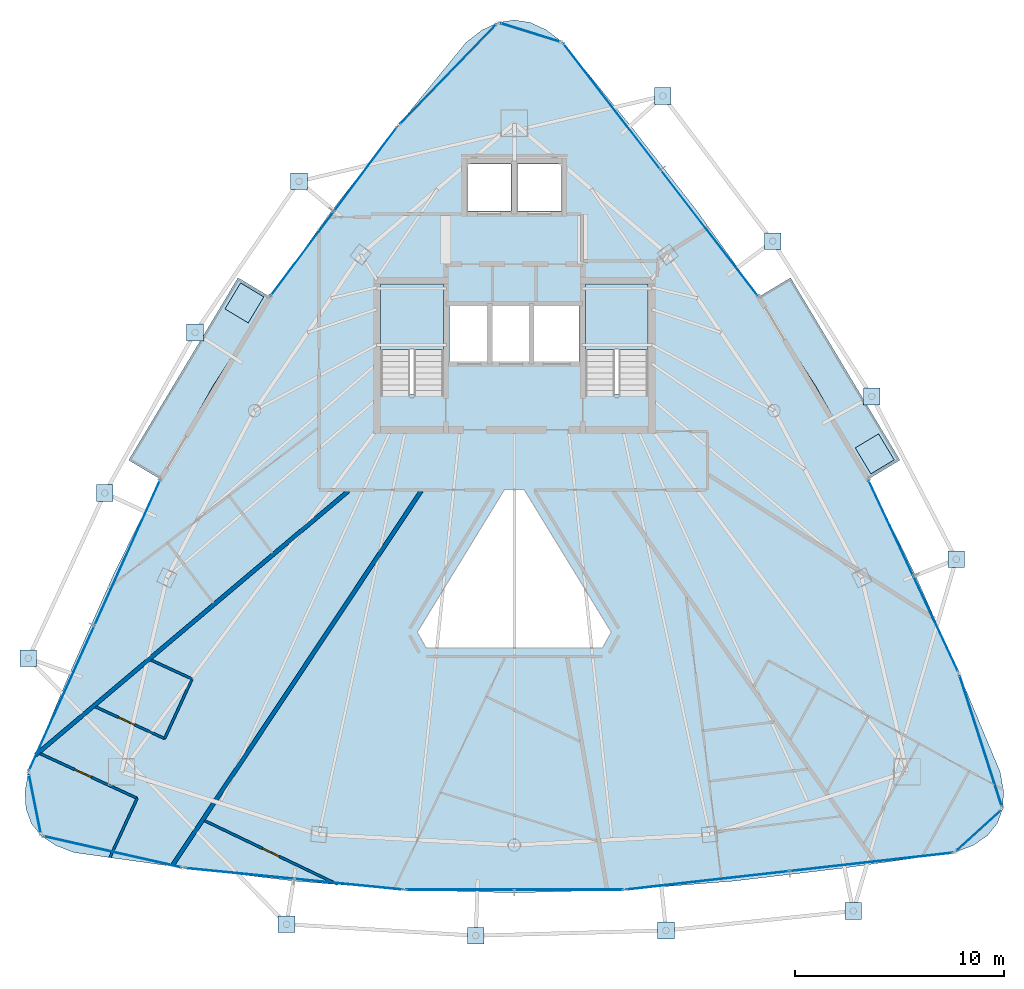
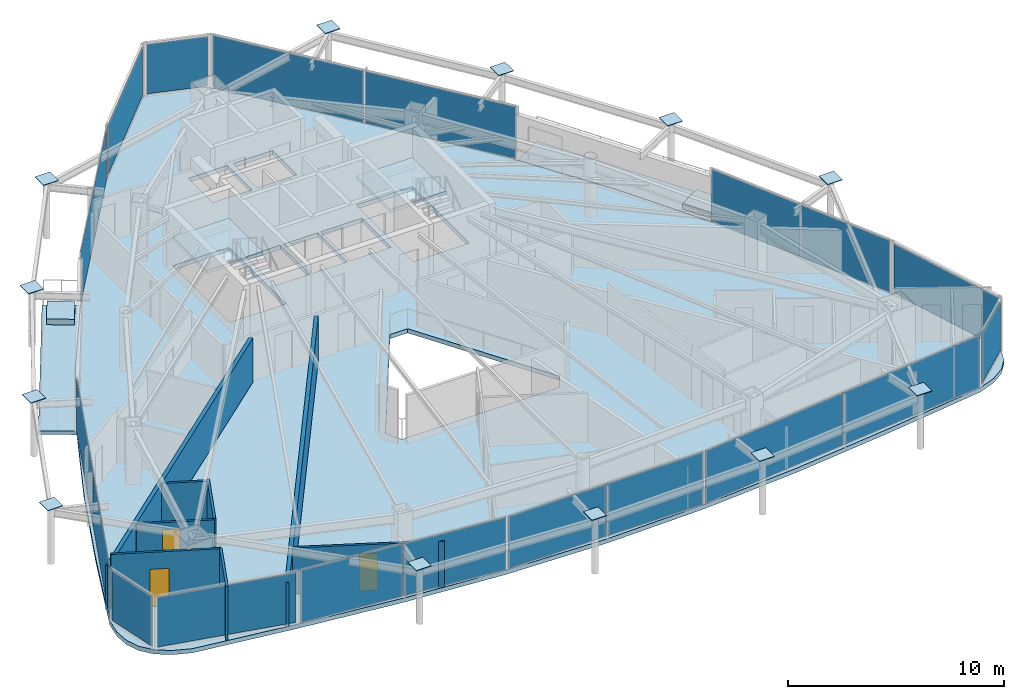
# One storey, part 27 of 33: 32 plates, 8 walls, 7 slabs, 3 doors, 3 openings, 15 elements without a shape of their own.
"""IFC4 building model written with IfcOpenShell, lengths in metres."""

from ifc_helpers import new_model, si_unit, direction, frame, frame_2d, origin, origin_2d, place, context, subcontext, project, spatial, polyline, rectangle, outline, extrude, material, layer, layer_set, type_object, element, fill, aggregate, save


model = new_model("IFC4")

# Units and contexts
model_context = context("Model", 3, precision=1e-05, world=origin(), true_north=direction((0.0, 1.0)))
body_context = subcontext(model_context, "Body", "Model", "MODEL_VIEW")
ifc_project = project(units=[si_unit("LENGTHUNIT", "METRE"), si_unit("AREAUNIT", "SQUARE_METRE"), si_unit("VOLUMEUNIT", "CUBIC_METRE"), si_unit("PLANEANGLEUNIT", "RADIAN"), si_unit("MASSUNIT", "GRAM", prefix="KILO")], contexts=[model_context])

# Site, building, storey
site_placement = place(None, origin())
site = spatial("IfcSite", under=ifc_project, at=site_placement, CompositionType="ELEMENT")
building_placement = place(site_placement, origin())
building = spatial("IfcBuilding", under=site, at=building_placement, Name="Orvanel Arch Residences", CompositionType="ELEMENT")
storey_placement = place(building_placement, frame((0.0, 0.0, 212.89990234375)))
storey = spatial("IfcBuildingStorey", under=building, at=storey_placement, Name="L60", CompositionType="ELEMENT", Elevation=212.89990234375)

# Plates
ifc_material_1 = material(Name="Structural steel AS/NZS 3678 Grade 350", Category="steel")
ifc_layer_1 = layer(ifc_material_1, 0.031982421875)
ifc_layer_set_1 = layer_set([ifc_layer_1], Name="Structural steel AS/NZS 3678 Grade 350")
plate_type_1 = type_object("IfcPlateType", Name="PL-CAP-32", PredefinedType="SHEET", material=ifc_layer_set_1)
for number, where, z_axis, x_axis, name in (
    (1, (22.694091796875, 38.616943359375, 3.2841796875), (0.0, 0.0, 1.0), (1.0, 0.0, 0.0), "L60 hollow member end cap plate"),
    (2, (17.719970703125, 31.381103515625, 3.2841796875), (0.0, 0.0, 1.0), (1.0, 0.0, 0.0), "L60 hollow member end cap plate"),
    (3, (13.39990234375, 23.697021484375, 3.2841796875), (0.0, 0.0, 1.0), (1.0, 0.0, 0.0), "L60 hollow member end cap plate"),
    (4, (9.739990234375, 15.784912109375, 3.2841796875), (0.0, 0.0, 1.0), (1.0, 0.0, 0.0), "L60 hollow member end cap plate"),
    (5, (22.10009765625, 3.053955078125, 3.2841796875), (0.0, 0.0, 1.0), (1.0, 0.0, 0.0), "L60 hollow member end cap plate"),
    (6, (31.157958984375, 2.510986328125, 3.2841796875), (0.0, 0.0, 1.0), (1.0, 0.0, 0.0), "L60 hollow member end cap plate"),
    (7, (40.260986328125, 2.759033203125, 3.2841796875), (0.0, 0.0, 1.0), (1.0, 0.0, 0.0), "L60 hollow member end cap plate"),
    (8, (49.22509765625, 3.68896484375, 3.2841796875), (0.0, 0.0, 1.0), (1.0, 0.0, 0.0), "L60 hollow member end cap plate"),
    (9, (54.156982421875, 20.527099609375, 3.2841796875), (0.0, 0.0, 1.0), (1.0, 0.0, 0.0), "L60 hollow member end cap plate"),
    (10, (50.114990234375, 28.322021484375, 3.2841796875), (0.0, 0.0, 1.0), (1.0, 0.0, 0.0), "L60 hollow member end cap plate"),
    (11, (45.368896484375, 35.7509765625, 3.2841796875), (0.0, 0.0, 1.0), (1.0, 0.0, 0.0), "L60 hollow member end cap plate"),
    (12, (40.112060546875, 42.7041015625, 3.2841796875), (0.0, 0.0, 1.0), (1.0, 0.0, 0.0), "L60 hollow member end cap plate"),
):
    element("IfcPlate", number, at=place(storey_placement, frame(where, z_axis=z_axis, x_axis=x_axis)), inside=storey, type_object=plate_type_1, Name=name, PredefinedType="SHEET", context=body_context, shape_type="SweptSolid", body=[
        extrude(rectangle(XDim=0.800048828125, YDim=0.800048828125, at=origin_2d()), origin(), (0.0, 0.0, 1.0), 0.031982421875),
    ])

# Curtain wall, plates
ifc_material_2 = material(Name="Bronze-anodised aluminium AA6063-T6", Category="aluminium")
ifc_layer_2 = layer(ifc_material_2, 0.175048828125)
ifc_layer_set_2 = layer_set([ifc_layer_2], Name="Bronze-anodised aluminium AA6063-T6")
curtain_wall_type_1 = type_object("IfcCurtainWallType", Name="CW4-HI-SYS", PredefinedType="NOTDEFINED", material=ifc_layer_set_2)
curtain_wall_1_placement = place(storey_placement, origin())
curtain_wall_1 = element("IfcCurtainWall", 13, at=curtain_wall_1_placement, inside=storey, type_object=curtain_wall_type_1, Name="L60 CW4-HI-SYS Unitised Curtain Wall", PredefinedType="NOTDEFINED")
ifc_material_3 = material(Name="Double-glazed solar-control low-E safety glass", Category="glass")
ifc_layer_3 = layer(ifc_material_3, 0.028076171875)
ifc_layer_set_3 = layer_set([ifc_layer_3], Name="Double-glazed solar-control low-E safety glass")
plate_type_2 = type_object("IfcPlateType", Name="PNL-GLZ-28", PredefinedType="CURTAIN_PANEL", material=ifc_layer_set_3)
plate_1_placement = place(storey_placement, frame((25.884033203125, 39.20654296875, 0.06005859375), z_axis=(0.0, 0.0, 1.0), x_axis=(-0.599151723424, -0.800635505282, 0.0)))
plate_1 = element("IfcPlate", 14, at=plate_1_placement, type_object=plate_type_2, Name="CW-S4 panel 1.1", PredefinedType="CURTAIN_PANEL", context=body_context, shape_type="SweptSolid", body=[
    extrude(rectangle(XDim=4.997314453125, YDim=0.028076171875, at=origin_2d()), origin(), (0.0, 0.0, 1.0), 2.93994140625),
])
plate_2_placement = place(storey_placement, frame((22.85107421875, 35.153564453125, 0.06005859375), z_axis=(0.0, 0.0, 1.0), x_axis=(-0.599151723424, -0.800635505282, 0.0)))
plate_2 = element("IfcPlate", 15, at=plate_2_placement, type_object=plate_type_2, Name="CW-S4 panel 2.1", PredefinedType="CURTAIN_PANEL", context=body_context, shape_type="SweptSolid", body=[
    extrude(rectangle(XDim=4.997314453125, YDim=0.028076171875, at=origin_2d()), origin(), (0.0, 0.0, 1.0), 2.93994140625),
])
aggregate(curtain_wall_1, [plate_1, plate_2])

curtain_wall_2_placement = place(storey_placement, origin())
curtain_wall_2 = element("IfcCurtainWall", 16, at=curtain_wall_2_placement, inside=storey, type_object=curtain_wall_type_1, Name="L60 CW4-HI-SYS Unitised Curtain Wall", PredefinedType="NOTDEFINED")
plate_3_placement = place(storey_placement, frame((14.476318359375, 20.833740234375, 0.06005859375), z_axis=(0.0, 0.0, 1.0), x_axis=(-0.411530785971, -0.911395859217, 0.0)))
plate_3 = element("IfcPlate", 17, at=plate_3_placement, type_object=plate_type_2, Name="CW-S4 panel 1.1", PredefinedType="CURTAIN_PANEL", context=body_context, shape_type="SweptSolid", body=[
    extrude(rectangle(XDim=7.566650390625, YDim=0.028076171875, at=origin_2d()), origin(), (0.0, 0.0, 1.0), 2.93994140625),
])
plate_4_placement = place(storey_placement, frame((11.335693359375, 13.87841796875, 0.06005859375), z_axis=(0.0, 0.0, 1.0), x_axis=(-0.411530785971, -0.911395859217, 0.0)))
plate_4 = element("IfcPlate", 18, at=plate_4_placement, type_object=plate_type_2, Name="CW-S4 panel 2.1", PredefinedType="CURTAIN_PANEL", context=body_context, shape_type="SweptSolid", body=[
    extrude(rectangle(XDim=7.566650390625, YDim=0.028076171875, at=origin_2d()), origin(), (0.0, 0.0, 1.0), 2.93994140625),
])
aggregate(curtain_wall_2, [plate_3, plate_4])

curtain_wall_3_placement = place(storey_placement, origin())
curtain_wall_3 = element("IfcCurtainWall", 19, at=curtain_wall_3_placement, inside=storey, type_object=curtain_wall_type_1, Name="L60 CW4-HI-SYS Unitised Curtain Wall", PredefinedType="NOTDEFINED")
plate_5_placement = place(storey_placement, frame((19.858642578125, 5.4873046875, 0.06005859375), z_axis=(0.0, 0.0, 1.0), x_axis=(0.995125054579, -0.098621122229, 0.0)))
plate_5 = element("IfcPlate", 20, at=plate_5_placement, type_object=plate_type_2, Name="CW-S4 panel 1.1", PredefinedType="CURTAIN_PANEL", context=body_context, shape_type="SweptSolid", body=[
    extrude(rectangle(XDim=5.17529296875, YDim=0.028076171875, at=origin_2d()), origin(), (0.0, 0.0, 1.0), 2.93994140625),
])
plate_6_placement = place(storey_placement, frame((25.0732421875, 4.970703125, 0.06005859375), z_axis=(0.0, 0.0, 1.0), x_axis=(0.995125054579, -0.098621122229, 0.0)))
plate_6 = element("IfcPlate", 21, at=plate_6_placement, type_object=plate_type_2, Name="CW-S4 panel 2.1", PredefinedType="CURTAIN_PANEL", context=body_context, shape_type="SweptSolid", body=[
    extrude(rectangle(XDim=5.17529296875, YDim=0.028076171875, at=origin_2d()), origin(), (0.0, 0.0, 1.0), 2.93994140625),
])
aggregate(curtain_wall_3, [plate_5, plate_6])

curtain_wall_4_placement = place(storey_placement, origin())
curtain_wall_4 = element("IfcCurtainWall", 22, at=curtain_wall_4_placement, inside=storey, type_object=curtain_wall_type_1, Name="L60 CW4-HI-SYS Unitised Curtain Wall", PredefinedType="NOTDEFINED")
plate_7_placement = place(storey_placement, frame((30.392822265625, 4.70703125, 0.06005859375), z_axis=(0.0, 0.0, 1.0), x_axis=(1.0, 0.0, 0.0)))
plate_7 = element("IfcPlate", 23, at=plate_7_placement, type_object=plate_type_2, Name="CW-S4 panel 1.1", PredefinedType="CURTAIN_PANEL", context=body_context, shape_type="SweptSolid", body=[
    extrude(rectangle(XDim=5.1494140625, YDim=0.028076171875, at=origin_2d()), origin(), (0.0, 0.0, 1.0), 2.93994140625),
])
plate_8_placement = place(storey_placement, frame((35.607177734375, 4.70703125, 0.06005859375), z_axis=(0.0, 0.0, 1.0), x_axis=(1.0, 0.0, 0.0)))
plate_8 = element("IfcPlate", 24, at=plate_8_placement, type_object=plate_type_2, Name="CW-S4 panel 2.1", PredefinedType="CURTAIN_PANEL", context=body_context, shape_type="SweptSolid", body=[
    extrude(rectangle(XDim=5.1494140625, YDim=0.028076171875, at=origin_2d()), origin(), (0.0, 0.0, 1.0), 2.93994140625),
])
aggregate(curtain_wall_4, [plate_7, plate_8])

curtain_wall_5_placement = place(storey_placement, origin())
curtain_wall_5 = element("IfcCurtainWall", 25, at=curtain_wall_5_placement, inside=storey, type_object=curtain_wall_type_1, Name="L60 CW4-HI-SYS Unitised Curtain Wall", PredefinedType="NOTDEFINED")
plate_9_placement = place(storey_placement, frame((42.243408203125, 5.155029296875, 0.06005859375), z_axis=(0.0, 0.0, 1.0), x_axis=(0.993704057528, 0.11203680669, 0.0)))
plate_9 = element("IfcPlate", 26, at=plate_9_placement, type_object=plate_type_2, Name="CW-S4 panel 1.1", PredefinedType="CURTAIN_PANEL", context=body_context, shape_type="SweptSolid", body=[
    extrude(rectangle(XDim=7.8330078125, YDim=0.028076171875, at=origin_2d()), origin(), (0.0, 0.0, 1.0), 2.93994140625),
])
plate_10_placement = place(storey_placement, frame((50.091552734375, 6.0400390625, 0.06005859375), z_axis=(0.0, 0.0, 1.0), x_axis=(0.993704057528, 0.11203680669, 0.0)))
plate_10 = element("IfcPlate", 27, at=plate_10_placement, type_object=plate_type_2, Name="CW-S4 panel 2.1", PredefinedType="CURTAIN_PANEL", context=body_context, shape_type="SweptSolid", body=[
    extrude(rectangle(XDim=7.8330078125, YDim=0.028076171875, at=origin_2d()), origin(), (0.0, 0.0, 1.0), 2.93994140625),
])
aggregate(curtain_wall_5, [plate_9, plate_10])

curtain_wall_6_placement = place(storey_placement, origin())
curtain_wall_6 = element("IfcCurtainWall", 28, at=curtain_wall_6_placement, inside=storey, type_object=curtain_wall_type_1, Name="L60 CW4-HI-SYS Unitised Curtain Wall", PredefinedType="NOTDEFINED")
plate_11_placement = place(storey_placement, frame((53.176025390625, 17.435546875, 0.06005859375), z_axis=(0.0, 0.0, 1.0), x_axis=(-0.424340844978, 0.905502538529, 0.0)))
plate_11 = element("IfcPlate", 29, at=plate_11_placement, type_object=plate_type_2, Name="CW-S4 panel 1.1", PredefinedType="CURTAIN_PANEL", context=body_context, shape_type="SweptSolid", body=[
    extrude(rectangle(XDim=4.99755859375, YDim=0.028076171875, at=origin_2d()), origin(), (0.0, 0.0, 1.0), 2.93994140625),
])
plate_12_placement = place(storey_placement, frame((51.02783203125, 22.01953125, 0.06005859375), z_axis=(0.0, 0.0, 1.0), x_axis=(-0.424340844978, 0.905502538529, 0.0)))
plate_12 = element("IfcPlate", 30, at=plate_12_placement, type_object=plate_type_2, Name="CW-S4 panel 2.1", PredefinedType="CURTAIN_PANEL", context=body_context, shape_type="SweptSolid", body=[
    extrude(rectangle(XDim=4.99755859375, YDim=0.028076171875, at=origin_2d()), origin(), (0.0, 0.0, 1.0), 2.93994140625),
])
aggregate(curtain_wall_6, [plate_11, plate_12])

curtain_wall_7_placement = place(storey_placement, origin())
curtain_wall_7 = element("IfcCurtainWall", 31, at=curtain_wall_7_placement, inside=storey, type_object=curtain_wall_type_1, Name="L60 CW4-HI-SYS Unitised Curtain Wall", PredefinedType="NOTDEFINED")
plate_13_placement = place(storey_placement, frame((42.33642578125, 36.1494140625, 0.06005859375), z_axis=(0.0, 0.0, 1.0), x_axis=(-0.61032539084, 0.792150817266, 0.0)))
plate_13 = element("IfcPlate", 32, at=plate_13_placement, type_object=plate_type_2, Name="CW-S4 panel 1.1", PredefinedType="CURTAIN_PANEL", context=body_context, shape_type="SweptSolid", body=[
    extrude(rectangle(XDim=7.56640625, YDim=0.028076171875, at=origin_2d()), origin(), (0.0, 0.0, 1.0), 2.93994140625),
])
plate_14_placement = place(storey_placement, frame((37.6787109375, 42.194580078125, 0.06005859375), z_axis=(0.0, 0.0, 1.0), x_axis=(-0.61032539084, 0.792150817266, 0.0)))
plate_14 = element("IfcPlate", 33, at=plate_14_placement, type_object=plate_type_2, Name="CW-S4 panel 2.1", PredefinedType="CURTAIN_PANEL", context=body_context, shape_type="SweptSolid", body=[
    extrude(rectangle(XDim=7.56640625, YDim=0.028076171875, at=origin_2d()), origin(), (0.0, 0.0, 1.0), 2.93994140625),
])
aggregate(curtain_wall_7, [plate_13, plate_14])

# Curtain wall, plate
ifc_layer_4 = layer(ifc_material_2, 0.18994140625)
ifc_layer_set_4 = layer_set([ifc_layer_4], Name="Bronze-anodised aluminium AA6063-T6")
curtain_wall_type_2 = type_object("IfcCurtainWallType", Name="CW5-CRN-SYS", PredefinedType="NOTDEFINED", material=ifc_layer_set_4)
curtain_wall_8_placement = place(storey_placement, origin())
curtain_wall_8 = element("IfcCurtainWall", 34, at=curtain_wall_8_placement, inside=storey, type_object=curtain_wall_type_2, Name="L60 CW5-CRN-SYS Unitised Curtain Wall", PredefinedType="NOTDEFINED")
ifc_layer_5 = layer(ifc_material_3, 0.031982421875)
ifc_layer_set_5 = layer_set([ifc_layer_5], Name="Double-glazed solar-control low-E safety glass")
plate_type_3 = type_object("IfcPlateType", Name="PNL-GLZ-32", PredefinedType="CURTAIN_PANEL", material=ifc_layer_set_5)
plate_15_placement = place(storey_placement, frame((33.7724609375, 45.739990234375, 0.1298828125), z_axis=(0.0, 0.0, 1.0), x_axis=(-0.954841003461, 0.297117246401, 0.0)))
plate_15 = element("IfcPlate", 35, at=plate_15_placement, type_object=plate_type_3, Name="CW-S5 panel 1.1", PredefinedType="CURTAIN_PANEL", context=body_context, shape_type="SweptSolid", body=[
    extrude(rectangle(XDim=2.8974609375, YDim=0.031982421875, at=origin_2d()), origin(), (0.0, 0.0, 1.0), 2.800048828125),
])
aggregate(curtain_wall_8, [plate_15])

curtain_wall_9_placement = place(storey_placement, origin())
curtain_wall_9 = element("IfcCurtainWall", 36, at=curtain_wall_9_placement, inside=storey, type_object=curtain_wall_type_2, Name="L60 CW5-CRN-SYS Unitised Curtain Wall", PredefinedType="NOTDEFINED")
plate_16_placement = place(storey_placement, frame((29.82958984375, 43.748046875, 0.1298828125), z_axis=(0.0, 0.0, 1.0), x_axis=(-0.695997606834, -0.718044101209, 0.0)))
plate_16 = element("IfcPlate", 37, at=plate_16_placement, type_object=plate_type_3, Name="CW-S5 panel 1.1", PredefinedType="CURTAIN_PANEL", context=body_context, shape_type="SweptSolid", body=[
    extrude(rectangle(XDim=6.549072265625, YDim=0.031982421875, at=origin_2d()), origin(), (0.0, 0.0, 1.0), 2.800048828125),
])
aggregate(curtain_wall_9, [plate_16])

curtain_wall_10_placement = place(storey_placement, origin())
curtain_wall_10 = element("IfcCurtainWall", 38, at=curtain_wall_10_placement, inside=storey, type_object=curtain_wall_type_2, Name="L60 CW5-CRN-SYS Unitised Curtain Wall", PredefinedType="NOTDEFINED")
plate_17_placement = place(storey_placement, frame((10.048583984375, 8.824462890625, 0.1298828125), z_axis=(0.0, 0.0, 1.0), x_axis=(0.195365920622, -0.980730420176, 0.0)))
plate_17 = element("IfcPlate", 39, at=plate_17_placement, type_object=plate_type_3, Name="CW-S5 panel 1.1", PredefinedType="CURTAIN_PANEL", context=body_context, shape_type="SweptSolid", body=[
    extrude(rectangle(XDim=2.7763671875, YDim=0.031982421875, at=origin_2d()), origin(), (0.0, 0.0, 1.0), 2.800048828125),
])
aggregate(curtain_wall_10, [plate_17])

curtain_wall_11_placement = place(storey_placement, origin())
curtain_wall_11 = element("IfcCurtainWall", 40, at=curtain_wall_11_placement, inside=storey, type_object=curtain_wall_type_2, Name="L60 CW5-CRN-SYS Unitised Curtain Wall", PredefinedType="NOTDEFINED")
plate_18_placement = place(storey_placement, frame((13.77587890625, 6.5234375, 0.1298828125), z_axis=(0.0, 0.0, 1.0), x_axis=(0.975436035284, -0.220282866037, 0.0)))
plate_18 = element("IfcPlate", 41, at=plate_18_placement, type_object=plate_type_3, Name="CW-S5 panel 1.1", PredefinedType="CURTAIN_PANEL", context=body_context, shape_type="SweptSolid", body=[
    extrude(rectangle(XDim=6.677490234375, YDim=0.031982421875, at=origin_2d()), origin(), (0.0, 0.0, 1.0), 2.800048828125),
])
aggregate(curtain_wall_11, [plate_18])

curtain_wall_12_placement = place(storey_placement, origin())
curtain_wall_12 = element("IfcCurtainWall", 42, at=curtain_wall_12_placement, inside=storey, type_object=curtain_wall_type_2, Name="L60 CW5-CRN-SYS Unitised Curtain Wall", PredefinedType="NOTDEFINED")
plate_19_placement = place(storey_placement, frame((55.221923828125, 7.535888671875, 0.1298828125), z_axis=(0.0, 0.0, 1.0), x_axis=(0.740087062323, 0.672511070676, 0.0)))
plate_19 = element("IfcPlate", 43, at=plate_19_placement, type_object=plate_type_3, Name="CW-S5 panel 1.1", PredefinedType="CURTAIN_PANEL", context=body_context, shape_type="SweptSolid", body=[
    extrude(rectangle(XDim=2.778076171875, YDim=0.031982421875, at=origin_2d()), origin(), (0.0, 0.0, 1.0), 2.800048828125),
])
aggregate(curtain_wall_12, [plate_19])

curtain_wall_13_placement = place(storey_placement, origin())
curtain_wall_13 = element("IfcCurtainWall", 44, at=curtain_wall_13_placement, inside=storey, type_object=curtain_wall_type_2, Name="L60 CW5-CRN-SYS Unitised Curtain Wall", PredefinedType="NOTDEFINED")
plate_20_placement = place(storey_placement, frame((55.323974609375, 11.840087890625, 0.1298828125), z_axis=(0.0, 0.0, 1.0), x_axis=(-0.307483718239, 0.951553342182, 0.0)))
plate_20 = element("IfcPlate", 45, at=plate_20_placement, type_object=plate_type_3, Name="CW-S5 panel 1.1", PredefinedType="CURTAIN_PANEL", context=body_context, shape_type="SweptSolid", body=[
    extrude(rectangle(XDim=6.503662109375, YDim=0.031982421875, at=origin_2d()), origin(), (0.0, 0.0, 1.0), 2.800048828125),
])
aggregate(curtain_wall_13, [plate_20])

# Slabs
ifc_material_4 = material(Name="Concrete N40 (40 MPa)", Category="concrete")
ifc_layer_6 = layer(ifc_material_4, 0.199951171875)
ifc_layer_set_6 = layer_set([ifc_layer_6], Name="Concrete N40 (40 MPa)")
slab_type_1 = type_object("IfcSlabType", Name="SLB-BAL-200", PredefinedType="FLOOR", material=ifc_layer_set_6)
slab_1_placement = place(storey_placement, frame((0.0, 0.0, -0.199951171875)))
element("IfcSlab", 46, at=slab_1_placement, inside=storey, type_object=slab_type_1, Name="L60 Cantilevered Balcony Slab Face 3", PredefinedType="FLOOR", context=body_context, shape_type="SweptSolid", body=[
    extrude(outline(polyline([(51.4580078125, 25.27392578125), (46.22412109375, 34.0009765625), (44.697021484375, 33.0849609375), (47.43994140625, 28.797119140625), (49.931884765625, 24.35888671875), (51.4580078125, 25.27392578125)])), origin(), (0.0, 0.0, 1.0), 0.199951171875),
])
slab_2_placement = place(storey_placement, frame((0.0, 0.0, -0.199951171875)))
element("IfcSlab", 47, at=slab_2_placement, inside=storey, type_object=slab_type_1, Name="L60 Cantilevered Balcony Slab Face 1", PredefinedType="FLOOR", context=body_context, shape_type="SweptSolid", body=[
    extrude(outline(polyline([(19.77587890625, 34.0009765625), (14.5419921875, 25.27392578125), (16.068115234375, 24.35888671875), (18.56005859375, 28.797119140625), (21.302978515625, 33.0849609375), (19.77587890625, 34.0009765625)])), origin(), (0.0, 0.0, 1.0), 0.199951171875),
])

# Stair, slab
ifc_material_5 = material(Name="Precast concrete N50 (50 MPa)", Category="concrete")
stair_type = type_object("IfcStairType", Name="STR-DOG-184", PredefinedType="USERDEFINED", material=ifc_material_5)
stair_1_placement = place(storey_placement, origin())
stair_1 = element("IfcStair", 48, at=stair_1_placement, inside=storey, type_object=stair_type, Name="L60 Fire-Isolated Core Exit Stair 1", ObjectType="TWO_RETURN_STAIR", PredefinedType="USERDEFINED")
ifc_layer_7 = layer(ifc_material_4, 0.199951171875)
ifc_layer_set_7 = layer_set([ifc_layer_7], Name="Concrete N40 (40 MPa)")
slab_type_2 = type_object("IfcSlabType", Name="SLB-LND-200", PredefinedType="LANDING", material=ifc_layer_set_7)
slab_3_placement = place(storey_placement, frame((0.0, 0.0, 1.4501953125)))
slab_3 = element("IfcSlab", 49, at=slab_3_placement, type_object=slab_type_2, Name="ST-1 landing 1", PredefinedType="LANDING", context=body_context, shape_type="SweptSolid", body=[
    extrude(outline(polyline([(29.60009765625, 30.56005859375), (29.60009765625, 33.699951171875), (26.60009765625, 33.699951171875), (26.60009765625, 30.56005859375), (29.60009765625, 30.56005859375)])), origin(), (0.0, 0.0, 1.0), 0.199951171875),
])
aggregate(stair_1, [slab_3])

stair_2_placement = place(storey_placement, origin())
stair_2 = element("IfcStair", 50, at=stair_2_placement, inside=storey, type_object=stair_type, Name="L60 Fire-Isolated Core Exit Stair 2", ObjectType="TWO_RETURN_STAIR", PredefinedType="USERDEFINED")
slab_4_placement = place(storey_placement, frame((0.0, 0.0, 1.4501953125)))
slab_4 = element("IfcSlab", 51, at=slab_4_placement, type_object=slab_type_2, Name="ST-2 landing 1", PredefinedType="LANDING", context=body_context, shape_type="SweptSolid", body=[
    extrude(outline(polyline([(39.39990234375, 30.56005859375), (39.39990234375, 33.699951171875), (36.39990234375, 33.699951171875), (36.39990234375, 30.56005859375), (39.39990234375, 30.56005859375)])), origin(), (0.0, 0.0, 1.0), 0.199951171875),
])
aggregate(stair_2, [slab_4])

# Slabs
ifc_material_6 = material(Name="Structural architectural precast concrete N40 (40 MPa) planter", Category="concrete")
ifc_layer_8 = layer(ifc_material_6, 0.320068359375)
ifc_layer_set_8 = layer_set([ifc_layer_8], Name="Structural architectural precast concrete N40 (40 MPa) planter")
slab_type_3 = type_object("IfcSlabType", Name="SLB-PLN-320", PredefinedType="USERDEFINED", material=ifc_layer_set_8)
slab_5_placement = place(storey_placement, origin())
element("IfcSlab", 52, at=slab_5_placement, inside=storey, type_object=slab_type_3, Name="L60 Balcony TREE PLANTER Face 3", ObjectType="PLANTER", PredefinedType="USERDEFINED", context=body_context, shape_type="SweptSolid", body=[
    extrude(outline(polyline([(51.18408203125, 25.284912109375), (50.43798828125, 26.528076171875), (49.322998046875, 25.85888671875), (50.069091796875, 24.615966796875), (51.18408203125, 25.284912109375)])), origin(), (0.0, 0.0, 1.0), 0.320068359375),
])
slab_6_placement = place(storey_placement, origin())
element("IfcSlab", 53, at=slab_6_placement, inside=storey, type_object=slab_type_3, Name="L60 Balcony TREE PLANTER Face 1", ObjectType="PLANTER", PredefinedType="USERDEFINED", context=body_context, shape_type="SweptSolid", body=[
    extrude(outline(polyline([(19.89599609375, 33.75390625), (19.15087890625, 32.510009765625), (20.264892578125, 31.842041015625), (21.010986328125, 33.0849609375), (19.89599609375, 33.75390625)])), origin(), (0.0, 0.0, 1.0), 0.320068359375),
])
ifc_layer_9 = layer(ifc_material_4, 0.239990234375)
ifc_layer_set_9 = layer_set([ifc_layer_9], Name="Concrete N40 (40 MPa)")
slab_type_4 = type_object("IfcSlabType", Name="SLB-TYP-240", PredefinedType="FLOOR", material=ifc_layer_set_9)
slab_7_placement = place(storey_placement, frame((0.0, 0.0, -0.239990234375)))
element("IfcSlab", 54, at=slab_7_placement, inside=storey, type_object=slab_type_4, Name="L60 Tower Floor Slab", PredefinedType="FLOOR", context=body_context, shape_type="SweptSolid", body=[
    extrude(outline(polyline([(35.318115234375, 45.259033203125), (34.544921875, 45.860107421875), (33.77294921875, 46.220947265625), (33.0, 46.341064453125), (32.22705078125, 46.220947265625), (31.455078125, 45.860107421875), (30.681884765625, 45.259033203125), (27.431884765625, 41.27490234375), (24.278076171875, 37.23291015625), (21.302978515625, 33.0849609375), (18.56005859375, 28.797119140625), (16.068115234375, 24.35888671875), (13.80908203125, 19.780029296875), (11.72802734375, 15.095947265625), (9.743896484375, 10.35302734375), (9.577880859375, 9.407958984375), (9.6240234375, 8.583984375), (9.882080078125, 7.8798828125), (10.35302734375, 7.2958984375), (11.037109375, 6.83203125), (11.931884765625, 6.488037109375), (17.198974609375, 5.7509765625), (22.466064453125, 5.125), (27.73291015625, 4.70703125), (33.0, 4.56103515625), (38.26708984375, 4.70703125), (43.533935546875, 5.125), (48.801025390625, 5.7509765625), (54.068115234375, 6.488037109375), (54.964111328125, 6.83203125), (55.64697265625, 7.2958984375), (56.117919921875, 7.8798828125), (56.3759765625, 8.583984375), (56.422119140625, 9.407958984375), (56.256103515625, 10.35302734375), (54.27197265625, 15.095947265625), (52.19091796875, 19.780029296875), (49.931884765625, 24.35888671875), (47.43994140625, 28.797119140625), (44.697021484375, 33.0849609375), (41.721923828125, 37.23291015625), (38.568115234375, 41.27490234375), (35.318115234375, 45.259033203125)]), holes=[polyline([(26.60009765625, 28.429931640625), (26.60009765625, 33.699951171875), (29.60009765625, 33.699951171875), (29.60009765625, 28.429931640625), (26.60009765625, 28.429931640625)]), polyline([(36.39990234375, 28.429931640625), (36.39990234375, 33.699951171875), (39.39990234375, 33.699951171875), (39.39990234375, 28.429931640625), (36.39990234375, 28.429931640625)]), polyline([(29.89990234375, 32.64990234375), (31.75, 32.64990234375), (31.75, 29.949951171875), (29.89990234375, 29.949951171875), (29.89990234375, 32.64990234375)]), polyline([(31.89990234375, 32.64990234375), (33.75, 32.64990234375), (33.75, 29.949951171875), (31.89990234375, 29.949951171875), (31.89990234375, 32.64990234375)]), polyline([(33.89990234375, 32.64990234375), (36.10009765625, 32.64990234375), (36.10009765625, 29.949951171875), (33.89990234375, 29.949951171875), (33.89990234375, 32.64990234375)]), polyline([(30.75, 39.449951171875), (32.85009765625, 39.449951171875), (32.85009765625, 37.199951171875), (30.75, 37.199951171875), (30.75, 39.449951171875)]), polyline([(33.14990234375, 39.449951171875), (35.25, 39.449951171875), (35.25, 37.199951171875), (33.14990234375, 37.199951171875), (33.14990234375, 39.449951171875)]), polyline([(37.64404296875, 17.0400390625), (37.212890625, 16.27001953125), (28.787109375, 16.27001953125), (28.35595703125, 17.0400390625), (32.529052734375, 23.867919921875), (33.470947265625, 23.867919921875), (37.64404296875, 17.0400390625)])]), origin(), (0.0, 0.0, 1.0), 0.239990234375),
])

# Walls
ifc_material_7 = material(Name="Fire-rated plasterboard lined steel stud partition", Category="steel")
ifc_layer_10 = layer(ifc_material_7, 0.199951171875)
ifc_layer_set_10 = layer_set([ifc_layer_10], Name="Fire-rated plasterboard lined steel stud partition")
wall_type_1 = type_object("IfcWallType", Name="W-DEM-200", PredefinedType="PARTITIONING", material=ifc_layer_set_10)
wall_1_placement = place(storey_placement, frame((16.617919921875, 5.845947265625, 0.0), z_axis=(0.0, 0.0, 1.0), x_axis=(0.553425992232, 0.832898355817, 0.0)))
element("IfcWall", 55, at=wall_1_placement, inside=storey, type_object=wall_type_1, Name="L60 Inter-Tenancy Acoustic Demising Wall", PredefinedType="PARTITIONING", context=body_context, shape_type="SweptSolid", body=[
    extrude(rectangle(XDim=21.544189453125, YDim=0.199951171875, at=frame_2d((10.77197265625, 0.0))), origin(), (0.0, 0.0, 1.0), 2.4921875),
])
wall_2_placement = place(storey_placement, frame((10.0869140625, 11.156005859375, 0.0), z_axis=(0.0, 0.0, 1.0), x_axis=(0.76410924632, 0.645086862127, 0.0)))
element("IfcWall", 56, at=wall_2_placement, inside=storey, type_object=wall_type_1, Name="L60 Inter-Tenancy Acoustic Demising Wall", PredefinedType="PARTITIONING", context=body_context, shape_type="SweptSolid", body=[
    extrude(rectangle(XDim=19.5849609375, YDim=0.199951171875, at=frame_2d((9.79248046875, 0.0))), origin(), (0.0, 0.0, 1.0), 2.4921875),
])

# Wall, opening, door
ifc_material_8 = material(Name="Acoustic plasterboard lined twin-stud partition", Category="gypsum")
ifc_layer_11 = layer(ifc_material_8, 0.1201171875)
ifc_layer_set_11 = layer_set([ifc_layer_11], Name="Acoustic plasterboard lined twin-stud partition")
wall_type_2 = type_object("IfcWallType", Name="W-WET-120", PredefinedType="PARTITIONING", material=ifc_layer_set_11)
wall_3_placement = place(storey_placement, frame((24.535888671875, 4.966064453125, 0.0), z_axis=(0.0, 0.0, 1.0), x_axis=(-0.901746721557, 0.432264791721, 0.0)))
wall_3 = element("IfcWall", 57, at=wall_3_placement, inside=storey, type_object=wall_type_2, Name="L60 Flat A Internal Partition", PredefinedType="PARTITIONING", context=body_context, shape_type="SweptSolid", body=[
    extrude(rectangle(XDim=7.06494140625, YDim=0.1201171875, at=frame_2d((3.532470703125, 0.0))), origin(), (0.0, 0.0, 1.0), 2.619140625),
])
opening_1_placement = place(wall_3_placement, frame((3.093017578125, 0.0, 0.0)))
opening_1 = element("IfcOpeningElement", 58, at=opening_1_placement, cuts=wall_3, Name="Opening DI-088", PredefinedType="OPENING", context=body_context, shape_type="SweptSolid", body=[
    extrude(rectangle(XDim=0.8798828125, YDim=2.10009765625, at=frame_2d((0.43994140625, 1.050048828125))), frame((0.0, 0.070068359375, 0.0), z_axis=(0.0, -1.0, 0.0), x_axis=(1.0, 0.0, 0.0)), (0.0, 0.0, 1.0), 0.14013671875),
])
ifc_material_9 = material(Name="Solid-core European oak veneer fire door leaf", Category="wood")
door_type_1 = type_object("IfcDoorType", Name="DR-INT-880", OperationType="NOTDEFINED", PredefinedType="DOOR", material=ifc_material_9)
door_1_placement = place(opening_1_placement, origin())
door_1 = element("IfcDoor", 59, at=door_1_placement, inside=storey, type_object=door_type_1, Name="DR-L60-A-KIT L60 Flat A Kitchen Door", OperationType="SINGLE_SWING_LEFT", OverallHeight=2.10009765625, OverallWidth=0.8798828125, PredefinedType="DOOR", context=body_context, shape_type="SweptSolid", body=[
    extrude(rectangle(XDim=0.8798828125, YDim=2.10009765625, at=frame_2d((0.43994140625, 1.050048828125))), frame((0.0, 0.02490234375, 0.0), z_axis=(0.0, -1.0, 0.0), x_axis=(1.0, 0.0, 0.0)), (0.0, 0.0, 1.0), 0.050048828125),
])
fill(opening_1, door_1)

wall_4_placement = place(storey_placement, frame((12.9541015625, 13.465087890625, 0.0), z_axis=(0.0, 0.0, 1.0), x_axis=(0.908453283004, -0.41798640241, 0.0)))
wall_4 = element("IfcWall", 60, at=wall_4_placement, inside=storey, type_object=wall_type_2, Name="L60 Studio D Bathroom Partition", PredefinedType="PARTITIONING", context=body_context, shape_type="SweptSolid", body=[
    extrude(rectangle(XDim=3.64111328125, YDim=0.1201171875, at=frame_2d((1.820556640625, 0.0))), origin(), (0.0, 0.0, 1.0), 2.4921875),
])
opening_2_placement = place(wall_4_placement, frame((1.2119140625, 0.0, 0.0)))
opening_2 = element("IfcOpeningElement", 61, at=opening_2_placement, cuts=wall_4, Name="Opening DW-082", PredefinedType="OPENING", context=body_context, shape_type="SweptSolid", body=[
    extrude(rectangle(XDim=0.820068359375, YDim=2.10009765625, at=frame_2d((0.41015625, 1.050048828125))), frame((0.0, 0.070068359375, 0.0), z_axis=(0.0, -1.0, 0.0), x_axis=(1.0, 0.0, 0.0)), (0.0, 0.0, 1.0), 0.14013671875),
])
door_type_2 = type_object("IfcDoorType", Name="DR-WET-820", OperationType="NOTDEFINED", PredefinedType="DOOR", material=ifc_material_9)
door_2_placement = place(opening_2_placement, origin())
door_2 = element("IfcDoor", 62, at=door_2_placement, inside=storey, type_object=door_type_2, Name="DR-L60-D-BATH L60 Studio D Bathroom Door", OperationType="SINGLE_SWING_RIGHT", OverallHeight=2.10009765625, OverallWidth=0.820068359375, PredefinedType="DOOR", context=body_context, shape_type="SweptSolid", body=[
    extrude(rectangle(XDim=0.820068359375, YDim=2.10009765625, at=frame_2d((0.41015625, 1.050048828125))), frame((0.0, 0.02490234375, 0.0), z_axis=(0.0, -1.0, 0.0), x_axis=(1.0, 0.0, 0.0)), (0.0, 0.0, 1.0), 0.050048828125),
])
fill(opening_2, door_2)

# Walls
wall_5_placement = place(storey_placement, frame((16.261962890625, 11.943115234375, 0.0), z_axis=(0.0, 0.0, 1.0), x_axis=(0.417964576431, 0.908463324988, 0.0)))
element("IfcWall", 63, at=wall_5_placement, inside=storey, type_object=wall_type_2, Name="L60 Studio D Bathroom Partition", PredefinedType="PARTITIONING", context=body_context, shape_type="SweptSolid", body=[
    extrude(rectangle(XDim=3.143798828125, YDim=0.1201171875, at=frame_2d((1.57177734375, 0.0))), origin(), (0.0, 0.0, 1.0), 2.565185546875),
])
wall_6_placement = place(storey_placement, frame((17.575927734375, 14.799072265625, 0.0), z_axis=(0.0, 0.0, 1.0), x_axis=(-0.908443405033, 0.418007870562, 0.0)))
element("IfcWall", 64, at=wall_6_placement, inside=storey, type_object=wall_type_2, Name="L60 Studio D Bathroom Partition", PredefinedType="PARTITIONING", context=body_context, shape_type="SweptSolid", body=[
    extrude(rectangle(XDim=2.16748046875, YDim=0.1201171875, at=frame_2d((1.083740234375, 0.0))), origin(), (0.0, 0.0, 1.0), 2.4921875),
])
wall_7_placement = place(storey_placement, frame((13.64794921875, 6.261962890625, 0.0), z_axis=(0.0, 0.0, 1.0), x_axis=(0.418057228076, 0.90842069222, 0.0)))
element("IfcWall", 65, at=wall_7_placement, inside=storey, type_object=wall_type_2, Name="L60 Studio D Internal Partition", PredefinedType="PARTITIONING", context=body_context, shape_type="SweptSolid", body=[
    extrude(rectangle(XDim=3.109619140625, YDim=0.1201171875, at=frame_2d((1.5546875, 0.0))), origin(), (0.0, 0.0, 1.0), 3.06005859375),
])

# Wall, opening, door
wall_8_placement = place(storey_placement, frame((14.947998046875, 9.0869140625, 0.0), z_axis=(0.0, 0.0, 1.0), x_axis=(-0.908447683715, 0.417998571712, 0.0)))
wall_8 = element("IfcWall", 66, at=wall_8_placement, inside=storey, type_object=wall_type_2, Name="L60 Studio D Internal Partition", PredefinedType="PARTITIONING", context=body_context, shape_type="SweptSolid", body=[
    extrude(rectangle(XDim=5.115234375, YDim=0.1201171875, at=frame_2d((2.5576171875, 0.0))), origin(), (0.0, 0.0, 1.0), 3.06005859375),
])
opening_3_placement = place(wall_8_placement, frame((2.4169921875, 0.0, 0.0)))
opening_3 = element("IfcOpeningElement", 67, at=opening_3_placement, cuts=wall_8, Name="Opening DI-088", PredefinedType="OPENING", context=body_context, shape_type="SweptSolid", body=[
    extrude(rectangle(XDim=0.8798828125, YDim=2.10009765625, at=frame_2d((0.43994140625, 1.050048828125))), frame((0.0, 0.070068359375, 0.0), z_axis=(0.0, -1.0, 0.0), x_axis=(1.0, 0.0, 0.0)), (0.0, 0.0, 1.0), 0.14013671875),
])
door_3_placement = place(opening_3_placement, origin())
door_3 = element("IfcDoor", 68, at=door_3_placement, inside=storey, type_object=door_type_1, Name="DR-L60-D-KIT L60 Studio D Kitchenette Door", OperationType="SINGLE_SWING_LEFT", OverallHeight=2.10009765625, OverallWidth=0.8798828125, PredefinedType="DOOR", context=body_context, shape_type="SweptSolid", body=[
    extrude(rectangle(XDim=0.8798828125, YDim=2.10009765625, at=frame_2d((0.43994140625, 1.050048828125))), frame((0.0, 0.02490234375, 0.0), z_axis=(0.0, -1.0, 0.0), x_axis=(1.0, 0.0, 0.0)), (0.0, 0.0, 1.0), 0.050048828125),
])
fill(opening_3, door_3)

save(model, "model.ifc")
